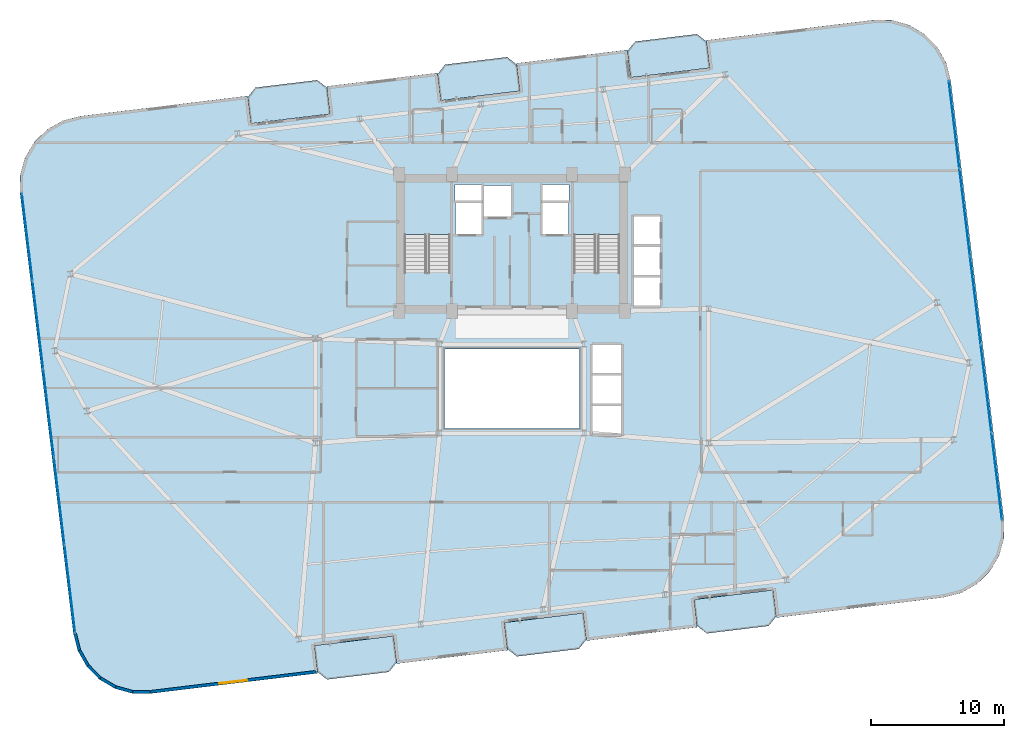
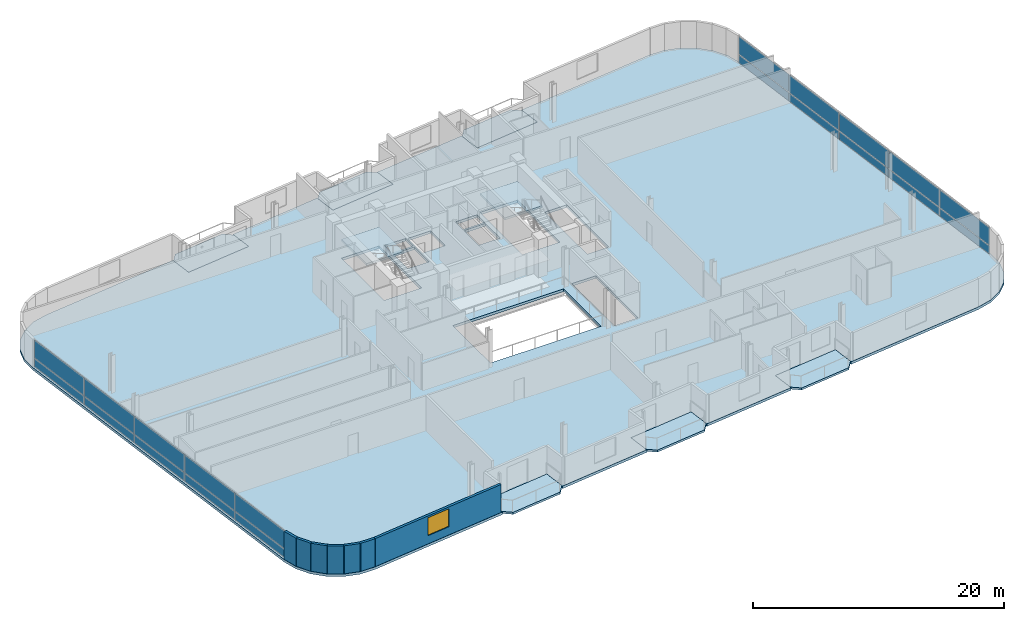
# One storey, part 13 of 22: 20 plates, 9 slabs, 7 walls, 1 window, 1 opening, 4 elements without a shape of their own.
"""IFC4 building model written with IfcOpenShell, lengths in metres."""

from ifc_helpers import new_model, si_unit, direction, frame, frame_2d, origin, origin_2d, place, context, subcontext, project, spatial, polyline, rectangle, outline, extrude, source, transform, mapped, material, layer, layer_set, type_object, element, fill, aggregate, save


model = new_model("IFC4")

# Units and contexts
model_context = context("Model", 3, precision=1e-05, world=origin(), true_north=direction((0.0, 1.0)))
body_context = subcontext(model_context, "Body", "Model", "MODEL_VIEW")
ifc_project = project(units=[si_unit("LENGTHUNIT", "METRE"), si_unit("AREAUNIT", "SQUARE_METRE"), si_unit("VOLUMEUNIT", "CUBIC_METRE"), si_unit("PLANEANGLEUNIT", "RADIAN"), si_unit("MASSUNIT", "GRAM", prefix="KILO")], contexts=[model_context])

# Site, building, storey
site_placement = place(None, origin())
site = spatial("IfcSite", under=ifc_project, at=site_placement, CompositionType="ELEMENT")
building_placement = place(site_placement, origin())
building = spatial("IfcBuilding", under=site, at=building_placement, Name="Varnelok Gate Tower", CompositionType="ELEMENT")
storey_placement = place(building_placement, frame((0.0, 0.0, 178.300048828125)))
storey = spatial("IfcBuildingStorey", under=building, at=storey_placement, Name="L45", CompositionType="ELEMENT", Elevation=178.300048828125)

# Slabs
ifc_material_1 = material(Name="Concrete C45/55", Category="concrete")
ifc_layer_1 = layer(ifc_material_1, 0.199951171875)
ifc_layer_set_1 = layer_set([ifc_layer_1], Name="Concrete C45/55")
slab_type_1 = type_object("IfcSlabType", Name="SLB-BALC-200", PredefinedType="FLOOR", material=ifc_layer_set_1)
slab_1_placement = place(storey_placement, frame((0.0, 0.0, -0.199951171875)))
element("IfcSlab", 1, at=slab_1_placement, inside=storey, type_object=slab_type_1, Name="L45 South Hollow Balcony 1", PredefinedType="FLOOR", context=body_context, shape_type="SweptSolid", body=[
    extrude(outline(polyline([(24.550048828125, 1.564453125), (25.2734375, 0.997314453125), (29.939208984375, 1.56298828125), (30.50634765625, 2.28662109375), (30.265625, 4.27197265625), (24.309326171875, 3.5498046875), (24.550048828125, 1.564453125)])), origin(), (0.0, 0.0, 1.0), 0.199951171875),
])
slab_2_placement = place(storey_placement, frame((0.0, 0.0, -0.199951171875)))
element("IfcSlab", 2, at=slab_2_placement, inside=storey, type_object=slab_type_1, Name="L45 South Hollow Balcony 2", PredefinedType="FLOOR", context=body_context, shape_type="SweptSolid", body=[
    extrude(outline(polyline([(38.84521484375, 3.29736328125), (39.56884765625, 2.73046875), (44.234619140625, 3.2958984375), (44.8017578125, 4.01953125), (44.56103515625, 6.0048828125), (38.6044921875, 5.282958984375), (38.84521484375, 3.29736328125)])), origin(), (0.0, 0.0, 1.0), 0.199951171875),
])
slab_3_placement = place(storey_placement, frame((0.0, 0.0, -0.199951171875)))
element("IfcSlab", 3, at=slab_3_placement, inside=storey, type_object=slab_type_1, Name="L45 South Hollow Balcony 3", PredefinedType="FLOOR", context=body_context, shape_type="SweptSolid", body=[
    extrude(outline(polyline([(53.140625, 5.030517578125), (53.8642578125, 4.46337890625), (58.530029296875, 5.02880859375), (59.09716796875, 5.75244140625), (58.8564453125, 7.73779296875), (52.89990234375, 7.015869140625), (53.140625, 5.030517578125)])), origin(), (0.0, 0.0, 1.0), 0.199951171875),
])
slab_4_placement = place(storey_placement, frame((0.0, 0.0, -0.199951171875)))
element("IfcSlab", 4, at=slab_4_placement, inside=storey, type_object=slab_type_1, Name="L45 North Hollow Balcony 1", PredefinedType="FLOOR", context=body_context, shape_type="SweptSolid", body=[
    extrude(outline(polyline([(19.543701171875, 42.862060546875), (25.5, 43.584228515625), (25.25927734375, 45.569580078125), (24.535888671875, 46.13671875), (19.8701171875, 45.571044921875), (19.302978515625, 44.84765625), (19.543701171875, 42.862060546875)])), origin(), (0.0, 0.0, 1.0), 0.199951171875),
])
slab_5_placement = place(storey_placement, frame((0.0, 0.0, -0.199951171875)))
element("IfcSlab", 5, at=slab_5_placement, inside=storey, type_object=slab_type_1, Name="L45 North Hollow Balcony 2", PredefinedType="FLOOR", context=body_context, shape_type="SweptSolid", body=[
    extrude(outline(polyline([(33.839111328125, 44.59521484375), (39.79541015625, 45.317138671875), (39.5546875, 47.302490234375), (38.831298828125, 47.86962890625), (34.165283203125, 47.303955078125), (33.598388671875, 46.58056640625), (33.839111328125, 44.59521484375)])), origin(), (0.0, 0.0, 1.0), 0.199951171875),
])
slab_6_placement = place(storey_placement, frame((0.0, 0.0, -0.199951171875)))
element("IfcSlab", 6, at=slab_6_placement, inside=storey, type_object=slab_type_1, Name="L45 North Hollow Balcony 3", PredefinedType="FLOOR", context=body_context, shape_type="SweptSolid", body=[
    extrude(outline(polyline([(48.13427734375, 46.327880859375), (54.0908203125, 47.050048828125), (53.85009765625, 49.03564453125), (53.12646484375, 49.6025390625), (48.460693359375, 49.037109375), (47.8935546875, 48.3134765625), (48.13427734375, 46.327880859375)])), origin(), (0.0, 0.0, 1.0), 0.199951171875),
])

# Stair, slab
ifc_material_2 = material(Name="Concrete C50/60", Category="concrete")
stair_type = type_object("IfcStairType", Name="STR-CORE-1650", PredefinedType="HALF_TURN_STAIR", material=ifc_material_2)
stair_1_placement = place(storey_placement, origin())
stair_1 = element("IfcStair", 7, at=stair_1_placement, inside=storey, type_object=stair_type, Name="L45 Exit Stair ST-1", PredefinedType="HALF_TURN_STAIR")
ifc_layer_2 = layer(ifc_material_1, 0.199951171875)
ifc_layer_set_2 = layer_set([ifc_layer_2], Name="Concrete C45/55")
slab_type_2 = type_object("IfcSlabType", Name="SLB-LAND-200", PredefinedType="LANDING", material=ifc_layer_set_2)
slab_7_placement = place(storey_placement, frame((0.0, 0.0, 1.64990234375)))
slab_7 = element("IfcSlab", 8, at=slab_7_placement, type_object=slab_type_2, Name="ST-1 landing 1", PredefinedType="LANDING", context=body_context, shape_type="SweptSolid", body=[
    extrude(outline(polyline([(34.550048828125, 34.5), (34.550048828125, 38.449951171875), (31.10009765625, 38.449951171875), (31.10009765625, 34.5), (34.550048828125, 34.5)])), origin(), (0.0, 0.0, 1.0), 0.199951171875),
])
aggregate(stair_1, [slab_7])

stair_2_placement = place(storey_placement, origin())
stair_2 = element("IfcStair", 9, at=stair_2_placement, inside=storey, type_object=stair_type, Name="L45 Exit Stair ST-2", PredefinedType="HALF_TURN_STAIR")
slab_8_placement = place(storey_placement, frame((0.0, 0.0, 1.64990234375)))
slab_8 = element("IfcSlab", 10, at=slab_8_placement, type_object=slab_type_2, Name="ST-2 landing 1", PredefinedType="LANDING", context=body_context, shape_type="SweptSolid", body=[
    extrude(outline(polyline([(47.300048828125, 34.5), (47.300048828125, 38.449951171875), (43.85009765625, 38.449951171875), (43.85009765625, 34.5), (47.300048828125, 34.5)])), origin(), (0.0, 0.0, 1.0), 0.199951171875),
])
aggregate(stair_2, [slab_8])

# Slab
ifc_layer_3 = layer(ifc_material_2, 0.25)
ifc_layer_set_3 = layer_set([ifc_layer_3], Name="Concrete C50/60")
slab_type_3 = type_object("IfcSlabType", Name="SLB-TYP-250", PredefinedType="FLOOR", material=ifc_layer_set_3)
slab_9_placement = place(storey_placement, frame((0.0, 0.0, -0.25)))
element("IfcSlab", 11, at=slab_9_placement, inside=storey, type_object=slab_type_3, Name="L45 Structural Floor Slab", PredefinedType="FLOOR", context=body_context, shape_type="SweptSolid", body=[
    extrude(outline(polyline([(6.166259765625, 4.47314453125), (6.504150390625, 3.158447265625), (7.1708984375, 1.975830078125), (8.120849609375, 1.006103515625), (9.289306640625, 0.3154296875), (10.596923828125, -0.04931640625), (11.954345703125, -0.063232421875), (22.87451171875, 1.260498046875), (24.56201171875, 1.465087890625), (24.309326171875, 3.5498046875), (30.265625, 4.27197265625), (30.518310546875, 2.187255859375), (38.857421875, 3.197998046875), (38.6044921875, 5.282958984375), (44.56103515625, 6.0048828125), (44.813720703125, 3.920166015625), (53.152587890625, 4.93115234375), (52.89990234375, 7.015869140625), (58.8564453125, 7.73779296875), (59.109130859375, 5.6533203125), (60.796630859375, 5.85791015625), (71.716796875, 7.181396484375), (73.031494140625, 7.519287109375), (74.214111328125, 8.18603515625), (75.183837890625, 9.135986328125), (75.87451171875, 10.3046875), (76.2392578125, 11.612060546875), (76.253173828125, 12.969482421875), (72.233642578125, 46.126708984375), (71.895751953125, 47.441650390625), (71.229248046875, 48.6240234375), (70.279296875, 49.59375), (69.110595703125, 50.284423828125), (67.802978515625, 50.6494140625), (66.44580078125, 50.6630859375), (55.525634765625, 49.33935546875), (53.837890625, 49.134765625), (54.0908203125, 47.050048828125), (48.13427734375, 46.327880859375), (47.881591796875, 48.412841796875), (39.54248046875, 47.40185546875), (39.79541015625, 45.317138671875), (33.839111328125, 44.59521484375), (33.586181640625, 46.6796875), (25.247314453125, 45.6689453125), (25.5, 43.584228515625), (19.543701171875, 42.862060546875), (19.291015625, 44.94677734375), (17.603271484375, 44.7421875), (6.68310546875, 43.41845703125), (5.368408203125, 43.08056640625), (4.18603515625, 42.413818359375), (3.21630859375, 41.464111328125), (2.525390625, 40.29541015625), (2.16064453125, 38.98779296875), (2.146728515625, 37.630615234375), (6.166259765625, 4.47314453125)]), holes=[polyline([(34.550048828125, 31.679931640625), (34.550048828125, 38.449951171875), (31.10009765625, 38.449951171875), (31.10009765625, 31.679931640625), (34.550048828125, 31.679931640625)]), polyline([(47.300048828125, 31.679931640625), (47.300048828125, 38.449951171875), (43.85009765625, 38.449951171875), (43.85009765625, 31.679931640625), (47.300048828125, 31.679931640625)]), polyline([(34.949951171875, 34.550048828125), (36.89990234375, 34.550048828125), (36.89990234375, 36.89990234375), (34.949951171875, 36.89990234375), (34.949951171875, 34.550048828125)]), polyline([(41.5, 34.550048828125), (43.449951171875, 34.550048828125), (43.449951171875, 36.89990234375), (41.5, 36.89990234375), (41.5, 34.550048828125)]), polyline([(37.050048828125, 35.85009765625), (39.14990234375, 35.85009765625), (39.14990234375, 38.199951171875), (37.050048828125, 38.199951171875), (37.050048828125, 35.85009765625)]), polyline([(48.35009765625, 29.14990234375), (50.35009765625, 29.14990234375), (50.35009765625, 35.89990234375), (48.35009765625, 35.89990234375), (48.35009765625, 29.14990234375)]), polyline([(45.25, 19.449951171875), (47.449951171875, 19.449951171875), (47.449951171875, 26.199951171875), (45.25, 26.199951171875), (45.25, 19.449951171875)]), polyline([(34.919921875, 37.080078125), (36.89990234375, 37.080078125), (36.89990234375, 38.280029296875), (34.919921875, 38.280029296875), (34.919921875, 37.080078125)]), polyline([(41.5, 37.080078125), (43.47998046875, 37.080078125), (43.47998046875, 38.280029296875), (41.5, 38.280029296875), (41.5, 37.080078125)]), polyline([(34.10009765625, 19.89990234375), (44.300048828125, 19.89990234375), (44.300048828125, 25.89990234375), (34.10009765625, 25.89990234375), (34.10009765625, 19.89990234375)])]), origin(), (0.0, 0.0, 1.0), 0.25),
])

# Curtain wall, plates
ifc_material_3 = material(Name="Anodized Aluminum Alloy 6063-T6", Category="aluminium")
ifc_layer_4 = layer(ifc_material_3, 0.179931640625)
ifc_layer_set_4 = layer_set([ifc_layer_4], Name="Anodized Aluminum Alloy 6063-T6")
curtain_wall_type = type_object("IfcCurtainWallType", Name="CW4-RESIDENCE-VISION", PredefinedType="USERDEFINED", material=ifc_layer_set_4)
curtain_wall_1_placement = place(storey_placement, origin())
curtain_wall_1 = element("IfcCurtainWall", 12, at=curtain_wall_1_placement, inside=storey, type_object=curtain_wall_type, Name="L45 West End Vision Curtain Wall", ObjectType="UNITISED CURTAIN WALL", PredefinedType="USERDEFINED")
ifc_material_4 = material(Name="Low-E Laminated Double Glazing IGU", Category="glass")
ifc_layer_5 = layer(ifc_material_4, 0.035888671875)
ifc_layer_set_5 = layer_set([ifc_layer_5], Name="Low-E Laminated Double Glazing IGU")
plate_type = type_object("IfcPlateType", Name="CW-PNL-IGU36", PredefinedType="CURTAIN_PANEL", material=ifc_layer_set_5)
shared_shape_1 = source(origin(), body_context, "Body", "SweptSolid", [
    extrude(rectangle(XDim=6.5673828125, YDim=0.035888671875, at=origin_2d()), origin(), (0.0, 0.0, 1.0), 0.78759765625),
])
plate_1_placement = place(storey_placement, frame((5.901123046875, 7.824462890625, 0.074951171875), z_axis=(0.0, 0.0, 1.0), x_axis=(-0.120344511371, 0.992732188751, 0.0)))
plate_1 = element("IfcPlate", 13, at=plate_1_placement, type_object=plate_type, Name="CW4 panel 1.1", PredefinedType="CURTAIN_PANEL", context=body_context, shape_type="MappedRepresentation", body=[
    mapped(shared_shape_1, transform((0.0, 0.0, 0.0), scale=1.0)),
])
plate_2_placement = place(storey_placement, frame((2.68994140625, 34.31298828125, 0.074951171875), z_axis=(0.0, 0.0, 1.0), x_axis=(-0.120344511371, 0.992732188751, 0.0)))
plate_2 = element("IfcPlate", 14, at=plate_2_placement, type_object=plate_type, Name="CW4 panel 5.1", PredefinedType="CURTAIN_PANEL", context=body_context, shape_type="MappedRepresentation", body=[
    mapped(shared_shape_1, transform((0.0, 0.0, 0.0), scale=1.0)),
])

curtain_wall_2_placement = place(storey_placement, origin())
curtain_wall_2 = element("IfcCurtainWall", 15, at=curtain_wall_2_placement, inside=storey, type_object=curtain_wall_type, Name="L45 East End Vision Curtain Wall", ObjectType="UNITISED CURTAIN WALL", PredefinedType="USERDEFINED")
plate_3_placement = place(storey_placement, frame((72.4990234375, 42.775634765625, 0.074951171875), z_axis=(0.0, 0.0, 1.0), x_axis=(0.120344511371, -0.992732188751, 0.0)))
plate_3 = element("IfcPlate", 16, at=plate_3_placement, type_object=plate_type, Name="CW4 panel 1.1", PredefinedType="CURTAIN_PANEL", context=body_context, shape_type="MappedRepresentation", body=[
    mapped(shared_shape_1, transform((0.0, 0.0, 0.0), scale=1.0)),
])
plate_4_placement = place(storey_placement, frame((75.7099609375, 16.287109375, 0.074951171875), z_axis=(0.0, 0.0, 1.0), x_axis=(0.120344511371, -0.992732188751, 0.0)))
plate_4 = element("IfcPlate", 17, at=plate_4_placement, type_object=plate_type, Name="CW4 panel 5.1", PredefinedType="CURTAIN_PANEL", context=body_context, shape_type="MappedRepresentation", body=[
    mapped(shared_shape_1, transform((0.0, 0.0, 0.0), scale=1.0)),
])

# Plate
shared_shape_2 = source(origin(), body_context, "Body", "SweptSolid", [
    extrude(rectangle(XDim=6.5673828125, YDim=0.035888671875, at=origin_2d()), origin(), (0.0, 0.0, 1.0), 1.717529296875),
])
plate_5_placement = place(storey_placement, frame((5.901123046875, 7.824462890625, 0.9375), z_axis=(0.0, 0.0, 1.0), x_axis=(-0.120344511371, 0.992732188751, 0.0)))
plate_5 = element("IfcPlate", 18, at=plate_5_placement, type_object=plate_type, Name="CW4 panel 1.2", PredefinedType="CURTAIN_PANEL", context=body_context, shape_type="MappedRepresentation", body=[
    mapped(shared_shape_2, transform((0.0, 0.0, 0.0), scale=1.0)),
])

plate_6_placement = place(storey_placement, frame((2.68994140625, 34.31298828125, 0.9375), z_axis=(0.0, 0.0, 1.0), x_axis=(-0.120344511371, 0.992732188751, 0.0)))
plate_6 = element("IfcPlate", 19, at=plate_6_placement, type_object=plate_type, Name="CW4 panel 5.2", PredefinedType="CURTAIN_PANEL", context=body_context, shape_type="MappedRepresentation", body=[
    mapped(shared_shape_2, transform((0.0, 0.0, 0.0), scale=1.0)),
])

plate_7_placement = place(storey_placement, frame((72.4990234375, 42.775634765625, 0.9375), z_axis=(0.0, 0.0, 1.0), x_axis=(0.120344511371, -0.992732188751, 0.0)))
plate_7 = element("IfcPlate", 20, at=plate_7_placement, type_object=plate_type, Name="CW4 panel 1.2", PredefinedType="CURTAIN_PANEL", context=body_context, shape_type="MappedRepresentation", body=[
    mapped(shared_shape_2, transform((0.0, 0.0, 0.0), scale=1.0)),
])

plate_8_placement = place(storey_placement, frame((75.7099609375, 16.287109375, 0.9375), z_axis=(0.0, 0.0, 1.0), x_axis=(0.120344511371, -0.992732188751, 0.0)))
plate_8 = element("IfcPlate", 21, at=plate_8_placement, type_object=plate_type, Name="CW4 panel 5.2", PredefinedType="CURTAIN_PANEL", context=body_context, shape_type="MappedRepresentation", body=[
    mapped(shared_shape_2, transform((0.0, 0.0, 0.0), scale=1.0)),
])

shared_shape_3 = source(origin(), body_context, "Body", "SweptSolid", [
    extrude(rectangle(XDim=6.60498046875, YDim=0.035888671875, at=origin_2d()), origin(), (0.0, 0.0, 1.0), 0.78759765625),
])
plate_9_placement = place(storey_placement, frame((5.099365234375, 14.437255859375, 0.074951171875), z_axis=(0.0, 0.0, 1.0), x_axis=(-0.120344511371, 0.992732188751, 0.0)))
plate_9 = element("IfcPlate", 22, at=plate_9_placement, type_object=plate_type, Name="CW4 panel 2.1", PredefinedType="CURTAIN_PANEL", context=body_context, shape_type="MappedRepresentation", body=[
    mapped(shared_shape_3, transform((0.0, 0.0, 0.0), scale=1.0)),
])

plate_10_placement = place(storey_placement, frame((4.295654296875, 21.068603515625, 0.074951171875), z_axis=(0.0, 0.0, 1.0), x_axis=(-0.120344511371, 0.992732188751, 0.0)))
plate_10 = element("IfcPlate", 23, at=plate_10_placement, type_object=plate_type, Name="CW4 panel 3.1", PredefinedType="CURTAIN_PANEL", context=body_context, shape_type="MappedRepresentation", body=[
    mapped(shared_shape_3, transform((0.0, 0.0, 0.0), scale=1.0)),
])

plate_11_placement = place(storey_placement, frame((3.49169921875, 27.7001953125, 0.074951171875), z_axis=(0.0, 0.0, 1.0), x_axis=(-0.120344511371, 0.992732188751, 0.0)))
plate_11 = element("IfcPlate", 24, at=plate_11_placement, type_object=plate_type, Name="CW4 panel 4.1", PredefinedType="CURTAIN_PANEL", context=body_context, shape_type="MappedRepresentation", body=[
    mapped(shared_shape_3, transform((0.0, 0.0, 0.0), scale=1.0)),
])

plate_12_placement = place(storey_placement, frame((73.300537109375, 36.162841796875, 0.074951171875), z_axis=(0.0, 0.0, 1.0), x_axis=(0.120344511371, -0.992732188751, 0.0)))
plate_12 = element("IfcPlate", 25, at=plate_12_placement, type_object=plate_type, Name="CW4 panel 2.1", PredefinedType="CURTAIN_PANEL", context=body_context, shape_type="MappedRepresentation", body=[
    mapped(shared_shape_3, transform((0.0, 0.0, 0.0), scale=1.0)),
])

plate_13_placement = place(storey_placement, frame((74.1044921875, 29.53125, 0.074951171875), z_axis=(0.0, 0.0, 1.0), x_axis=(0.120344511371, -0.992732188751, 0.0)))
plate_13 = element("IfcPlate", 26, at=plate_13_placement, type_object=plate_type, Name="CW4 panel 3.1", PredefinedType="CURTAIN_PANEL", context=body_context, shape_type="MappedRepresentation", body=[
    mapped(shared_shape_3, transform((0.0, 0.0, 0.0), scale=1.0)),
])

plate_14_placement = place(storey_placement, frame((74.908447265625, 22.89990234375, 0.074951171875), z_axis=(0.0, 0.0, 1.0), x_axis=(0.120344511371, -0.992732188751, 0.0)))
plate_14 = element("IfcPlate", 27, at=plate_14_placement, type_object=plate_type, Name="CW4 panel 4.1", PredefinedType="CURTAIN_PANEL", context=body_context, shape_type="MappedRepresentation", body=[
    mapped(shared_shape_3, transform((0.0, 0.0, 0.0), scale=1.0)),
])

shared_shape_4 = source(origin(), body_context, "Body", "SweptSolid", [
    extrude(rectangle(XDim=6.60498046875, YDim=0.035888671875, at=origin_2d()), origin(), (0.0, 0.0, 1.0), 1.717529296875),
])
plate_15_placement = place(storey_placement, frame((5.099365234375, 14.437255859375, 0.9375), z_axis=(0.0, 0.0, 1.0), x_axis=(-0.120344511371, 0.992732188751, 0.0)))
plate_15 = element("IfcPlate", 28, at=plate_15_placement, type_object=plate_type, Name="CW4 panel 2.2", PredefinedType="CURTAIN_PANEL", context=body_context, shape_type="MappedRepresentation", body=[
    mapped(shared_shape_4, transform((0.0, 0.0, 0.0), scale=1.0)),
])

plate_16_placement = place(storey_placement, frame((4.295654296875, 21.068603515625, 0.9375), z_axis=(0.0, 0.0, 1.0), x_axis=(-0.120344511371, 0.992732188751, 0.0)))
plate_16 = element("IfcPlate", 29, at=plate_16_placement, type_object=plate_type, Name="CW4 panel 3.2", PredefinedType="CURTAIN_PANEL", context=body_context, shape_type="MappedRepresentation", body=[
    mapped(shared_shape_4, transform((0.0, 0.0, 0.0), scale=1.0)),
])

plate_17_placement = place(storey_placement, frame((3.49169921875, 27.7001953125, 0.9375), z_axis=(0.0, 0.0, 1.0), x_axis=(-0.120344511371, 0.992732188751, 0.0)))
plate_17 = element("IfcPlate", 30, at=plate_17_placement, type_object=plate_type, Name="CW4 panel 4.2", PredefinedType="CURTAIN_PANEL", context=body_context, shape_type="MappedRepresentation", body=[
    mapped(shared_shape_4, transform((0.0, 0.0, 0.0), scale=1.0)),
])

aggregate(curtain_wall_1, [plate_1, plate_5, plate_9, plate_15, plate_10, plate_16, plate_11, plate_17, plate_2, plate_6])

plate_18_placement = place(storey_placement, frame((73.300537109375, 36.162841796875, 0.9375), z_axis=(0.0, 0.0, 1.0), x_axis=(0.120344511371, -0.992732188751, 0.0)))
plate_18 = element("IfcPlate", 31, at=plate_18_placement, type_object=plate_type, Name="CW4 panel 2.2", PredefinedType="CURTAIN_PANEL", context=body_context, shape_type="MappedRepresentation", body=[
    mapped(shared_shape_4, transform((0.0, 0.0, 0.0), scale=1.0)),
])

plate_19_placement = place(storey_placement, frame((74.1044921875, 29.53125, 0.9375), z_axis=(0.0, 0.0, 1.0), x_axis=(0.120344511371, -0.992732188751, 0.0)))
plate_19 = element("IfcPlate", 32, at=plate_19_placement, type_object=plate_type, Name="CW4 panel 3.2", PredefinedType="CURTAIN_PANEL", context=body_context, shape_type="MappedRepresentation", body=[
    mapped(shared_shape_4, transform((0.0, 0.0, 0.0), scale=1.0)),
])

plate_20_placement = place(storey_placement, frame((74.908447265625, 22.89990234375, 0.9375), z_axis=(0.0, 0.0, 1.0), x_axis=(0.120344511371, -0.992732188751, 0.0)))
plate_20 = element("IfcPlate", 33, at=plate_20_placement, type_object=plate_type, Name="CW4 panel 4.2", PredefinedType="CURTAIN_PANEL", context=body_context, shape_type="MappedRepresentation", body=[
    mapped(shared_shape_4, transform((0.0, 0.0, 0.0), scale=1.0)),
])

aggregate(curtain_wall_2, [plate_3, plate_7, plate_12, plate_18, plate_13, plate_19, plate_14, plate_20, plate_4, plate_8])

# Walls
ifc_layer_6 = layer(ifc_material_1, 0.219970703125)
ifc_layer_set_6 = layer_set([ifc_layer_6], Name="Concrete C45/55")
wall_type = type_object("IfcWallType", Name="EW-BALC-220", PredefinedType="SOLIDWALL", material=ifc_layer_set_6)
wall_1_placement = place(storey_placement, frame((6.286376953125, 4.48779296875, 0.0), z_axis=(0.0, 0.0, 1.0), x_axis=(0.248942347653, -0.968518305219, 0.0)))
element("IfcWall", 34, at=wall_1_placement, inside=storey, type_object=wall_type, Name="L45 Perimeter Facade Closure Wall 1", PredefinedType="SOLIDWALL", context=body_context, shape_type="SweptSolid", body=[
    extrude(rectangle(XDim=1.325927734375, YDim=0.219970703125, at=frame_2d((0.6630859375, 0.0))), origin(), (0.0, 0.0, 1.0), 2.72998046875),
])
for number, where, z_axis, x_axis, name in (
    (35, (6.62890625, 3.181884765625, 0.0), (0.0, 0.0, 1.0), (0.490956091431, -0.871184318205, 0.0), "L45 Perimeter Facade Closure Wall 2"),
    (36, (7.28515625, 2.03076171875, 0.0), (0.0, 0.0, 1.0), (0.699844331926, -0.714295394827, 0.0), "L45 Perimeter Facade Closure Wall 3"),
    (37, (8.217041015625, 1.088623046875, 0.0), (0.0, 0.0, 1.0), (0.860885425627, -0.508798863936, 0.0), "L45 Perimeter Facade Closure Wall 4"),
):
    element("IfcWall", number, at=place(storey_placement, frame(where, z_axis=z_axis, x_axis=x_axis)), inside=storey, type_object=wall_type, Name=name, PredefinedType="SOLIDWALL", context=body_context, shape_type="SweptSolid", body=[
        extrude(rectangle(XDim=1.30078125, YDim=0.219970703125, at=frame_2d((0.650390625, 0.0))), origin(), (0.0, 0.0, 1.0), 2.72998046875),
    ])
wall_2_placement = place(storey_placement, frame((9.36083984375, 0.420166015625, 0.0), z_axis=(0.0, 0.0, 1.0), x_axis=(0.963218895288, -0.268717992997, 0.0)))
element("IfcWall", 38, at=wall_2_placement, inside=storey, type_object=wall_type, Name="L45 Perimeter Facade Closure Wall 5", PredefinedType="SOLIDWALL", context=body_context, shape_type="SweptSolid", body=[
    extrude(rectangle(XDim=1.301025390625, YDim=0.219970703125, at=frame_2d((0.650390625, 0.0))), origin(), (0.0, 0.0, 1.0), 2.72998046875),
])
wall_3_placement = place(storey_placement, frame((10.638916015625, 0.0703125, 0.0), z_axis=(0.0, 0.0, 1.0), x_axis=(0.999947377741, -0.010258740119, 0.0)))
element("IfcWall", 39, at=wall_3_placement, inside=storey, type_object=wall_type, Name="L45 Perimeter Facade Closure Wall 6", PredefinedType="SOLIDWALL", context=body_context, shape_type="SweptSolid", body=[
    extrude(rectangle(XDim=1.308837890625, YDim=0.219970703125, at=frame_2d((0.654296875, 0.0))), origin(), (0.0, 0.0, 1.0), 2.72998046875),
])

# Wall, opening, window
wall_4_placement = place(storey_placement, frame((11.972412109375, 0.059814453125, 0.0), z_axis=(0.0, 0.0, 1.0), x_axis=(0.992732021049, 0.120345894751, 0.0)))
wall_4 = element("IfcWall", 40, at=wall_4_placement, inside=storey, type_object=wall_type, Name="L45 Perimeter Facade Closure Wall 7", PredefinedType="SOLIDWALL", context=body_context, shape_type="SweptSolid", body=[
    extrude(rectangle(XDim=12.54736328125, YDim=0.219970703125, at=frame_2d((6.273681640625, 0.0))), origin(), (0.0, 0.0, 1.0), 2.72998046875),
])
opening_placement = place(wall_4_placement, frame((5.2236328125, 0.0, 0.800048828125)))
opening = element("IfcOpeningElement", 41, at=opening_placement, cuts=wall_4, Name="Opening WN4", PredefinedType="OPENING", context=body_context, shape_type="SweptSolid", body=[
    extrude(rectangle(XDim=2.10009765625, YDim=1.75, at=frame_2d((1.050048828125, 0.875))), frame((0.0, 0.119873046875, 0.0), z_axis=(0.0, -1.0, 0.0), x_axis=(1.0, 0.0, 0.0)), (0.0, 0.0, 1.0), 0.239990234375),
])
window_type = type_object("IfcWindowType", Name="WN-SUI-2100", PartitioningType="SINGLE_PANEL", PredefinedType="WINDOW", material=ifc_material_4)
window_placement = place(opening_placement, origin())
window = element("IfcWindow", 42, at=window_placement, inside=storey, type_object=window_type, Name="L45 Perimeter Vision Window 7", OverallHeight=1.75, OverallWidth=2.10009765625, PartitioningType="SINGLE_PANEL", PredefinedType="WINDOW", context=body_context, shape_type="SweptSolid", body=[
    extrude(rectangle(XDim=2.10009765625, YDim=1.75, at=frame_2d((1.050048828125, 0.875))), frame((0.0, 0.030029296875, 0.0), z_axis=(0.0, -1.0, 0.0), x_axis=(1.0, 0.0, 0.0)), (0.0, 0.0, 1.0), 0.06005859375),
])
fill(opening, window)

save(model, "model.ifc")
